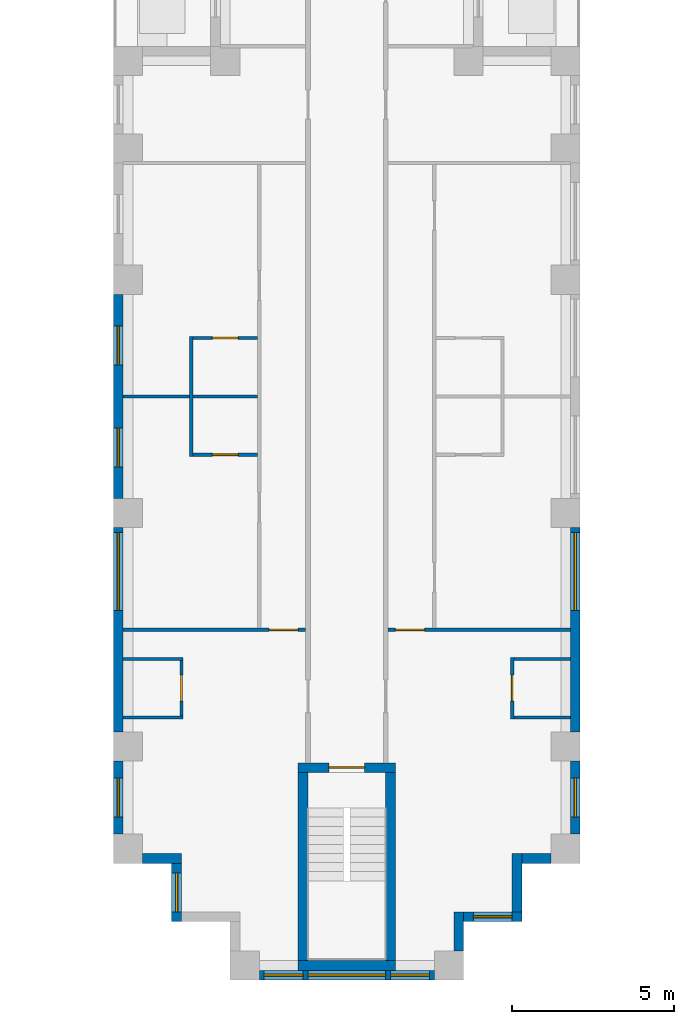
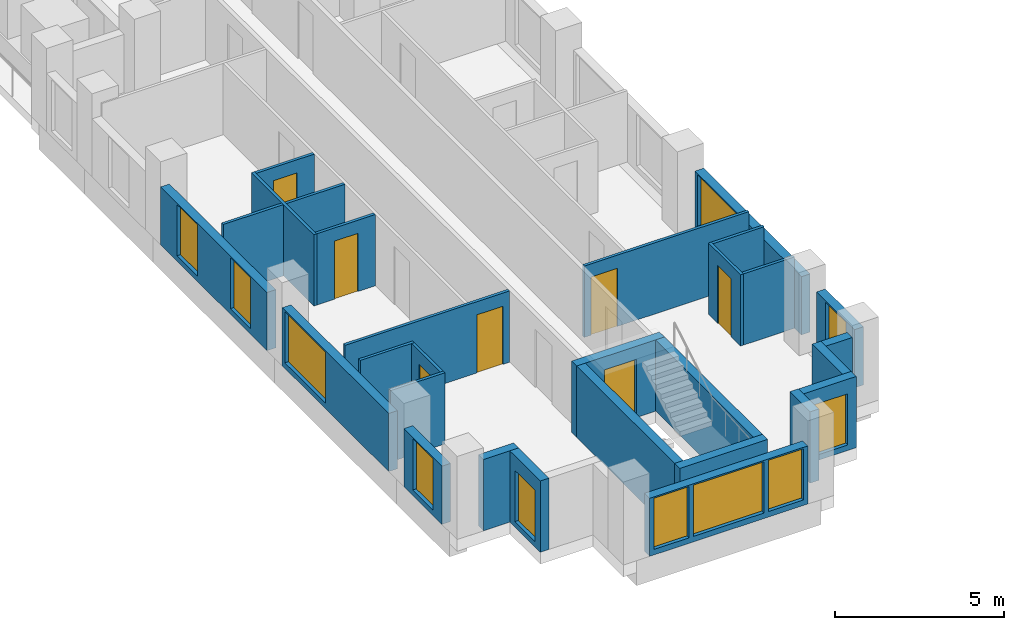
# One storey, part 3 of 15: 28 walls, 11 windows, 7 doors, 18 openings.
"""IFC4 building model written with IfcOpenShell, lengths in metres."""

from ifc_helpers import new_model, si_unit, direction, frame, frame_2d, origin, place, context, subcontext, project, spatial, rectangle, extrude, material, layer, layer_set, type_object, element, fill, save


model = new_model("IFC4")

# Units and contexts
model_context = context("Model", 3, precision=1e-05, world=origin(), true_north=direction((0.0, 1.0)))
body_context = subcontext(model_context, "Body", "Model", "MODEL_VIEW")
ifc_project = project(units=[si_unit("LENGTHUNIT", "METRE"), si_unit("AREAUNIT", "SQUARE_METRE"), si_unit("VOLUMEUNIT", "CUBIC_METRE"), si_unit("PLANEANGLEUNIT", "RADIAN"), si_unit("MASSUNIT", "GRAM", prefix="KILO")], contexts=[model_context])

# Site, building, storey
site_placement = place(None, origin())
site = spatial("IfcSite", under=ifc_project, at=site_placement, CompositionType="ELEMENT")
building_placement = place(site_placement, origin())
building = spatial("IfcBuilding", under=site, at=building_placement, Name="Fustian Cross Tower", CompositionType="ELEMENT")
storey_placement = place(building_placement, frame((0.0, 0.0, 50.699951171875)))
storey = spatial("IfcBuildingStorey", under=building, at=storey_placement, Name="L15", CompositionType="ELEMENT", Elevation=50.699951171875)

# Walls
ifc_material_1 = material(Name="Plasterboard on steel stud", Category="steel")
ifc_layer_1 = layer(ifc_material_1, 0.10009765625)
ifc_layer_set_1 = layer_set([ifc_layer_1], Name="Plasterboard on steel stud")
wall_type_1 = type_object("IfcWallType", Name="PARTITION 100 STUD", PredefinedType="PARTITIONING", material=ifc_layer_set_1)
for number, where, z_axis, x_axis, name in (
    (1, (-6.89990234375, -35.10009765625, 0.0), (0.0, 0.0, 1.0), (1.0, 0.0, 0.0), "Partition 18"),
    (2, (-6.89990234375, -33.300048828125, 0.0), (0.0, 0.0, 1.0), (1.0, 0.0, 0.0), "Partition 19"),
):
    element("IfcWall", number, at=place(storey_placement, frame(where, z_axis=z_axis, x_axis=x_axis)), inside=storey, type_object=wall_type_1, Name=name, PredefinedType="PARTITIONING", context=body_context, shape_type="SweptSolid", body=[
        extrude(rectangle(XDim=1.849853515625, YDim=0.10009765625, at=frame_2d((0.9248046875, 0.0))), origin(), (0.0, 0.0, 1.0), 2.574951171875),
    ])

# Wall, opening, door
wall_1_placement = place(storey_placement, frame((-6.89990234375, -32.39990234375, 0.0), z_axis=(0.0, 0.0, 1.0), x_axis=(1.0, 0.0, 0.0)))
wall_1 = element("IfcWall", 3, at=wall_1_placement, inside=storey, type_object=wall_type_1, Name="Partition 20", PredefinedType="PARTITIONING", context=body_context, shape_type="SweptSolid", body=[
    extrude(rectangle(XDim=5.625, YDim=0.10009765625, at=frame_2d((2.8125, 0.0))), origin(), (0.0, 0.0, 1.0), 2.574951171875),
])
opening_1_placement = place(wall_1_placement, frame((4.5, 0.0, 0.0)))
opening_1 = element("IfcOpeningElement", 4, at=opening_1_placement, cuts=wall_1, Name="Opening D08063", PredefinedType="OPENING", context=body_context, shape_type="SweptSolid", body=[
    extrude(rectangle(XDim=0.89990234375, YDim=2.10009765625, at=frame_2d((0.449951171875, 1.050048828125))), frame((0.0, 0.06005859375, 0.0), z_axis=(0.0, -1.0, 0.0), x_axis=(1.0, 0.0, 0.0)), (0.0, 0.0, 1.0), 0.1201171875),
])
ifc_material_2 = material(Name="Painted timber", Category="wood")
door_type_1 = type_object("IfcDoorType", Name="SWING DOOR 900", OperationType="SINGLE_SWING_LEFT", PredefinedType="DOOR", material=ifc_material_2)
door_1_placement = place(opening_1_placement, origin())
door_1 = element("IfcDoor", 5, at=door_1_placement, inside=storey, type_object=door_type_1, Name="Door D08063", OperationType="SINGLE_SWING_LEFT", OverallHeight=2.10009765625, OverallWidth=0.89990234375, PredefinedType="DOOR", context=body_context, shape_type="SweptSolid", body=[
    extrude(rectangle(XDim=0.89990234375, YDim=2.10009765625, at=frame_2d((0.449951171875, 1.050048828125))), frame((0.0, 0.02490234375, 0.0), z_axis=(0.0, -1.0, 0.0), x_axis=(1.0, 0.0, 0.0)), (0.0, 0.0, 1.0), 0.050048828125),
])
fill(opening_1, door_1)

# Wall
wall_2_placement = place(storey_placement, frame((-6.89990234375, -25.199951171875, 0.0), z_axis=(0.0, 0.0, 1.0), x_axis=(1.0, 0.0, 0.0)))
element("IfcWall", 6, at=wall_2_placement, inside=storey, type_object=wall_type_1, Name="Partition 21", PredefinedType="PARTITIONING", context=body_context, shape_type="SweptSolid", body=[
    extrude(rectangle(XDim=4.14990234375, YDim=0.10009765625, at=frame_2d((2.074951171875, 0.0))), origin(), (0.0, 0.0, 1.0), 2.574951171875),
])

# Wall, opening, door
wall_3_placement = place(storey_placement, frame((-5.10009765625, -35.050048828125, 0.0), z_axis=(0.0, 0.0, 1.0), x_axis=(0.0, 1.0, 0.0)))
wall_3 = element("IfcWall", 7, at=wall_3_placement, inside=storey, type_object=wall_type_1, Name="Partition 26", PredefinedType="PARTITIONING", context=body_context, shape_type="SweptSolid", body=[
    extrude(rectangle(XDim=1.699951171875, YDim=0.10009765625, at=frame_2d((0.85009765625, 0.0))), origin(), (0.0, 0.0, 1.0), 2.574951171875),
])
opening_2_placement = place(wall_3_placement, frame((0.449951171875, 0.0, 0.0)))
opening_2 = element("IfcOpeningElement", 8, at=opening_2_placement, cuts=wall_3, Name="Opening D08059", PredefinedType="OPENING", context=body_context, shape_type="SweptSolid", body=[
    extrude(rectangle(XDim=0.800048828125, YDim=2.10009765625, at=frame_2d((0.39990234375, 1.050048828125))), frame((0.0, 0.06005859375, 0.0), z_axis=(0.0, -1.0, 0.0), x_axis=(1.0, 0.0, 0.0)), (0.0, 0.0, 1.0), 0.1201171875),
])
ifc_material_3 = material(Name="Painted timber", Category="wood")
door_type_2 = type_object("IfcDoorType", Name="SWING DOOR 800", OperationType="SINGLE_SWING_LEFT", PredefinedType="DOOR", material=ifc_material_3)
door_2_placement = place(opening_2_placement, origin())
door_2 = element("IfcDoor", 9, at=door_2_placement, inside=storey, type_object=door_type_2, Name="Door D08059", OperationType="SINGLE_SWING_RIGHT", OverallHeight=2.10009765625, OverallWidth=0.800048828125, PredefinedType="DOOR", context=body_context, shape_type="SweptSolid", body=[
    extrude(rectangle(XDim=0.800048828125, YDim=2.10009765625, at=frame_2d((0.39990234375, 1.050048828125))), frame((0.0, 0.02490234375, 0.0), z_axis=(0.0, -1.0, 0.0), x_axis=(1.0, 0.0, 0.0)), (0.0, 0.0, 1.0), 0.050048828125),
])
fill(opening_2, door_2)

# Wall
wall_4_placement = place(storey_placement, frame((-4.800048828125, -27.050048828125, 0.0), z_axis=(0.0, 0.0, 1.0), x_axis=(0.0, 1.0, 0.0)))
element("IfcWall", 10, at=wall_4_placement, inside=storey, type_object=wall_type_1, Name="Partition 27", PredefinedType="PARTITIONING", context=body_context, shape_type="SweptSolid", body=[
    extrude(rectangle(XDim=3.699951171875, YDim=0.10009765625, at=frame_2d((1.85009765625, 0.0))), origin(), (0.0, 0.0, 1.0), 2.574951171875),
])

# Wall, opening, door
wall_5_placement = place(storey_placement, frame((-4.75, -27.0, 0.0), z_axis=(0.0, 0.0, 1.0), x_axis=(1.0, 0.0, 0.0)))
wall_5 = element("IfcWall", 11, at=wall_5_placement, inside=storey, type_object=wall_type_1, Name="Partition 28", PredefinedType="PARTITIONING", context=body_context, shape_type="SweptSolid", body=[
    extrude(rectangle(XDim=2.0, YDim=0.10009765625, at=frame_2d((1.0, 0.0))), origin(), (0.0, 0.0, 1.0), 2.574951171875),
])
opening_3_placement = place(wall_5_placement, frame((0.60009765625, 0.0, 0.0)))
opening_3 = element("IfcOpeningElement", 12, at=opening_3_placement, cuts=wall_5, Name="Opening D08065", PredefinedType="OPENING", context=body_context, shape_type="SweptSolid", body=[
    extrude(rectangle(XDim=0.800048828125, YDim=2.10009765625, at=frame_2d((0.39990234375, 1.050048828125))), frame((0.0, 0.06005859375, 0.0), z_axis=(0.0, -1.0, 0.0), x_axis=(1.0, 0.0, 0.0)), (0.0, 0.0, 1.0), 0.1201171875),
])
door_3_placement = place(opening_3_placement, origin())
door_3 = element("IfcDoor", 13, at=door_3_placement, inside=storey, type_object=door_type_2, Name="Door D08065", OperationType="SINGLE_SWING_LEFT", OverallHeight=2.10009765625, OverallWidth=0.800048828125, PredefinedType="DOOR", context=body_context, shape_type="SweptSolid", body=[
    extrude(rectangle(XDim=0.800048828125, YDim=2.10009765625, at=frame_2d((0.39990234375, 1.050048828125))), frame((0.0, 0.02490234375, 0.0), z_axis=(0.0, -1.0, 0.0), x_axis=(1.0, 0.0, 0.0)), (0.0, 0.0, 1.0), 0.050048828125),
])
fill(opening_3, door_3)

wall_6_placement = place(storey_placement, frame((-4.75, -23.39990234375, 0.0), z_axis=(0.0, 0.0, 1.0), x_axis=(1.0, 0.0, 0.0)))
wall_6 = element("IfcWall", 14, at=wall_6_placement, inside=storey, type_object=wall_type_1, Name="Partition 29", PredefinedType="PARTITIONING", context=body_context, shape_type="SweptSolid", body=[
    extrude(rectangle(XDim=2.0, YDim=0.10009765625, at=frame_2d((1.0, 0.0))), origin(), (0.0, 0.0, 1.0), 2.574951171875),
])
opening_4_placement = place(wall_6_placement, frame((0.60009765625, 0.0, 0.0)))
opening_4 = element("IfcOpeningElement", 15, at=opening_4_placement, cuts=wall_6, Name="Opening D08064", PredefinedType="OPENING", context=body_context, shape_type="SweptSolid", body=[
    extrude(rectangle(XDim=0.800048828125, YDim=2.10009765625, at=frame_2d((0.39990234375, 1.050048828125))), frame((0.0, 0.06005859375, 0.0), z_axis=(0.0, -1.0, 0.0), x_axis=(1.0, 0.0, 0.0)), (0.0, 0.0, 1.0), 0.1201171875),
])
door_4_placement = place(opening_4_placement, frame((0.800048828125, 0.0, 0.0), z_axis=(0.0, 0.0, 1.0), x_axis=(-1.0, 0.0, 0.0)))
door_4 = element("IfcDoor", 16, at=door_4_placement, inside=storey, type_object=door_type_2, Name="Door D08064", OperationType="SINGLE_SWING_RIGHT", OverallHeight=2.10009765625, OverallWidth=0.800048828125, PredefinedType="DOOR", context=body_context, shape_type="SweptSolid", body=[
    extrude(rectangle(XDim=0.800048828125, YDim=2.10009765625, at=frame_2d((0.39990234375, 1.050048828125))), frame((0.0, 0.02490234375, 0.0), z_axis=(0.0, -1.0, 0.0), x_axis=(1.0, 0.0, 0.0)), (0.0, 0.0, 1.0), 0.050048828125),
])
fill(opening_4, door_4)

wall_7_placement = place(storey_placement, frame((1.27490234375, -32.39990234375, 0.0), z_axis=(0.0, 0.0, 1.0), x_axis=(1.0, 0.0, 0.0)))
wall_7 = element("IfcWall", 17, at=wall_7_placement, inside=storey, type_object=wall_type_1, Name="Partition 45", PredefinedType="PARTITIONING", context=body_context, shape_type="SweptSolid", body=[
    extrude(rectangle(XDim=5.625, YDim=0.10009765625, at=frame_2d((2.8125, 0.0))), origin(), (0.0, 0.0, 1.0), 2.574951171875),
])
opening_5_placement = place(wall_7_placement, frame((0.22509765625, 0.0, 0.0)))
opening_5 = element("IfcOpeningElement", 18, at=opening_5_placement, cuts=wall_7, Name="Opening D08052", PredefinedType="OPENING", context=body_context, shape_type="SweptSolid", body=[
    extrude(rectangle(XDim=0.89990234375, YDim=2.10009765625, at=frame_2d((0.449951171875, 1.050048828125))), frame((0.0, 0.06005859375, 0.0), z_axis=(0.0, -1.0, 0.0), x_axis=(1.0, 0.0, 0.0)), (0.0, 0.0, 1.0), 0.1201171875),
])
door_5_placement = place(opening_5_placement, origin())
door_5 = element("IfcDoor", 19, at=door_5_placement, inside=storey, type_object=door_type_1, Name="Door D08052", OperationType="SINGLE_SWING_LEFT", OverallHeight=2.10009765625, OverallWidth=0.89990234375, PredefinedType="DOOR", context=body_context, shape_type="SweptSolid", body=[
    extrude(rectangle(XDim=0.89990234375, YDim=2.10009765625, at=frame_2d((0.449951171875, 1.050048828125))), frame((0.0, 0.02490234375, 0.0), z_axis=(0.0, -1.0, 0.0), x_axis=(1.0, 0.0, 0.0)), (0.0, 0.0, 1.0), 0.050048828125),
])
fill(opening_5, door_5)

wall_8_placement = place(storey_placement, frame((5.10009765625, -35.14990234375, 0.0), z_axis=(0.0, 0.0, 1.0), x_axis=(0.0, 1.0, 0.0)))
wall_8 = element("IfcWall", 20, at=wall_8_placement, inside=storey, type_object=wall_type_1, Name="Partition 70", PredefinedType="PARTITIONING", context=body_context, shape_type="SweptSolid", body=[
    extrude(rectangle(XDim=1.89990234375, YDim=0.10009765625, at=frame_2d((0.949951171875, 0.0))), origin(), (0.0, 0.0, 1.0), 2.574951171875),
])
opening_6_placement = place(wall_8_placement, frame((0.550048828125, 0.0, 0.0)))
opening_6 = element("IfcOpeningElement", 21, at=opening_6_placement, cuts=wall_8, Name="Opening D08050", PredefinedType="OPENING", context=body_context, shape_type="SweptSolid", body=[
    extrude(rectangle(XDim=0.800048828125, YDim=2.10009765625, at=frame_2d((0.39990234375, 1.050048828125))), frame((0.0, 0.06005859375, 0.0), z_axis=(0.0, -1.0, 0.0), x_axis=(1.0, 0.0, 0.0)), (0.0, 0.0, 1.0), 0.1201171875),
])
door_6_placement = place(opening_6_placement, frame((0.800048828125, 0.0, 0.0), z_axis=(0.0, 0.0, 1.0), x_axis=(-1.0, 0.0, 0.0)))
door_6 = element("IfcDoor", 22, at=door_6_placement, inside=storey, type_object=door_type_2, Name="Door D08050", OperationType="SINGLE_SWING_LEFT", OverallHeight=2.10009765625, OverallWidth=0.800048828125, PredefinedType="DOOR", context=body_context, shape_type="SweptSolid", body=[
    extrude(rectangle(XDim=0.800048828125, YDim=2.10009765625, at=frame_2d((0.39990234375, 1.050048828125))), frame((0.0, 0.02490234375, 0.0), z_axis=(0.0, -1.0, 0.0), x_axis=(1.0, 0.0, 0.0)), (0.0, 0.0, 1.0), 0.050048828125),
])
fill(opening_6, door_6)

# Walls
for number, where, z_axis, x_axis, name in (
    (23, (5.14990234375, -35.10009765625, 0.0), (0.0, 0.0, 1.0), (1.0, 0.0, 0.0), "Partition 71"),
    (24, (5.14990234375, -33.300048828125, 0.0), (0.0, 0.0, 1.0), (1.0, 0.0, 0.0), "Partition 72"),
):
    element("IfcWall", number, at=place(storey_placement, frame(where, z_axis=z_axis, x_axis=x_axis)), inside=storey, type_object=wall_type_1, Name=name, PredefinedType="PARTITIONING", context=body_context, shape_type="SweptSolid", body=[
        extrude(rectangle(XDim=1.75, YDim=0.10009765625, at=frame_2d((0.875, 0.0))), origin(), (0.0, 0.0, 1.0), 2.574951171875),
    ])

# Wall, opening, door
ifc_material_4 = material(Name="Concrete C50/60", Category="concrete")
ifc_layer_2 = layer(ifc_material_4, 0.300048828125)
ifc_layer_set_2 = layer_set([ifc_layer_2], Name="Concrete C50/60")
wall_type_2 = type_object("IfcWallType", Name="STAIR ENCLOSURE WALL 300 C50/60", PredefinedType="SHEAR", material=ifc_layer_set_2)
wall_9_placement = place(storey_placement, frame((-1.5, -36.64990234375, 0.0), z_axis=(0.0, 0.0, 1.0), x_axis=(1.0, 0.0, 0.0)))
wall_9 = element("IfcWall", 25, at=wall_9_placement, inside=storey, type_object=wall_type_2, Name="Stair enclosure wall", PredefinedType="SHEAR", context=body_context, shape_type="SweptSolid", body=[
    extrude(rectangle(XDim=3.0, YDim=0.300048828125, at=frame_2d((1.5, 0.0))), origin(), (0.0, 0.0, 1.0), 2.574951171875),
])
opening_7_placement = place(wall_9_placement, frame((0.949951171875, 0.0, 0.0)))
opening_7 = element("IfcOpeningElement", 26, at=opening_7_placement, cuts=wall_9, Name="Opening CD-05-32", PredefinedType="OPENING", context=body_context, shape_type="SweptSolid", body=[
    extrude(rectangle(XDim=1.10009765625, YDim=2.10009765625, at=frame_2d((0.550048828125, 1.050048828125))), frame((0.0, 0.159912109375, 0.0), z_axis=(0.0, -1.0, 0.0), x_axis=(1.0, 0.0, 0.0)), (0.0, 0.0, 1.0), 0.320068359375),
])
ifc_material_5 = material(Name="Steel", Category="steel")
door_type_3 = type_object("IfcDoorType", Name="FIRE DOOR FD60S 1100X2100", OperationType="SINGLE_SWING_LEFT", PredefinedType="DOOR", material=ifc_material_5)
door_7_placement = place(opening_7_placement, frame((1.10009765625, 0.0, 0.0), z_axis=(0.0, 0.0, 1.0), x_axis=(-1.0, 0.0, 0.0)))
door_7 = element("IfcDoor", 27, at=door_7_placement, inside=storey, type_object=door_type_3, Name="Core door CD-05-32", OperationType="SINGLE_SWING_RIGHT", OverallHeight=2.10009765625, OverallWidth=1.10009765625, PredefinedType="DOOR", context=body_context, shape_type="SweptSolid", body=[
    extrude(rectangle(XDim=1.10009765625, YDim=2.10009765625, at=frame_2d((0.550048828125, 1.050048828125))), frame((0.0, 0.02490234375, 0.0), z_axis=(0.0, -1.0, 0.0), x_axis=(1.0, 0.0, 0.0)), (0.0, 0.0, 1.0), 0.050048828125),
])
fill(opening_7, door_7)

# Walls
wall_10_placement = place(storey_placement, frame((-1.5, -42.75, 0.0), z_axis=(0.0, 0.0, 1.0), x_axis=(1.0, 0.0, 0.0)))
element("IfcWall", 28, at=wall_10_placement, inside=storey, type_object=wall_type_2, Name="Stair enclosure wall", PredefinedType="SHEAR", context=body_context, shape_type="SweptSolid", body=[
    extrude(rectangle(XDim=3.0, YDim=0.300048828125, at=frame_2d((1.5, 0.0))), origin(), (0.0, 0.0, 1.0), 2.574951171875),
])
for number, where, z_axis, x_axis, name in (
    (29, (-1.35009765625, -36.800048828125, 0.0), (0.0, 0.0, 1.0), (0.0, -1.0, 0.0), "Stair enclosure wall"),
    (30, (1.35009765625, -36.800048828125, 0.0), (0.0, 0.0, 1.0), (0.0, -1.0, 0.0), "Stair enclosure wall"),
):
    element("IfcWall", number, at=place(storey_placement, frame(where, z_axis=z_axis, x_axis=x_axis)), inside=storey, type_object=wall_type_2, Name=name, PredefinedType="SHEAR", context=body_context, shape_type="SweptSolid", body=[
        extrude(rectangle(XDim=5.800048828125, YDim=0.300048828125, at=frame_2d((2.89990234375, 0.0))), origin(), (0.0, 0.0, 1.0), 2.574951171875),
    ])

# Wall, openings, windows
ifc_material_6 = material(Name="Dark aluminium cladding on insulated backing wall", Category="aluminium")
ifc_layer_3 = layer(ifc_material_6, 0.300048828125)
ifc_layer_set_3 = layer_set([ifc_layer_3], Name="Dark aluminium cladding on insulated backing wall")
wall_type_3 = type_object("IfcWallType", Name="XW1 EXTERNAL WALL 300", PredefinedType="SOLIDWALL", material=ifc_layer_set_3)
wall_11_placement = place(storey_placement, frame((-7.050048828125, -22.050048828125, 0.0), z_axis=(0.0, 0.0, 1.0), x_axis=(0.0, -1.0, 0.0)))
wall_11 = element("IfcWall", 31, at=wall_11_placement, inside=storey, type_object=wall_type_3, Name="External wall", PredefinedType="SOLIDWALL", context=body_context, shape_type="SweptSolid", body=[
    extrude(rectangle(XDim=6.300048828125, YDim=0.300048828125, at=frame_2d((3.14990234375, 0.0))), origin(), (0.0, 0.0, 1.0), 2.10009765625),
])
opening_8_placement = place(wall_11_placement, frame((0.97509765625, 0.0, 0.199951171875)))
opening_8 = element("IfcOpeningElement", 32, at=opening_8_placement, cuts=wall_11, Name="Opening WN3", PredefinedType="OPENING", context=body_context, shape_type="SweptSolid", body=[
    extrude(rectangle(XDim=1.199951171875, YDim=1.85009765625, at=frame_2d((0.60009765625, 0.925048828125))), frame((0.0, 0.159912109375, 0.0), z_axis=(0.0, -1.0, 0.0), x_axis=(1.0, 0.0, 0.0)), (0.0, 0.0, 1.0), 0.320068359375),
])
opening_9_placement = place(wall_11_placement, frame((4.125, 0.0, 0.199951171875)))
opening_9 = element("IfcOpeningElement", 33, at=opening_9_placement, cuts=wall_11, Name="Opening WN3", PredefinedType="OPENING", context=body_context, shape_type="SweptSolid", body=[
    extrude(rectangle(XDim=1.199951171875, YDim=1.85009765625, at=frame_2d((0.60009765625, 0.925048828125))), frame((0.0, 0.159912109375, 0.0), z_axis=(0.0, -1.0, 0.0), x_axis=(1.0, 0.0, 0.0)), (0.0, 0.0, 1.0), 0.320068359375),
])
ifc_material_7 = material(Name="Dark anodised aluminium and double glazing", Category="aluminium")
window_type_1 = type_object("IfcWindowType", Name="WN3 WINDOW 1200X1850", PartitioningType="SINGLE_PANEL", PredefinedType="WINDOW", material=ifc_material_7)
window_1_placement = place(opening_8_placement, origin())
window_1 = element("IfcWindow", 34, at=window_1_placement, inside=storey, type_object=window_type_1, Name="Window", OverallHeight=1.85009765625, OverallWidth=1.199951171875, PartitioningType="SINGLE_PANEL", PredefinedType="WINDOW", context=body_context, shape_type="SweptSolid", body=[
    extrude(rectangle(XDim=1.199951171875, YDim=1.85009765625, at=frame_2d((0.60009765625, 0.925048828125))), frame((0.0, 0.030029296875, 0.0), z_axis=(0.0, -1.0, 0.0), x_axis=(1.0, 0.0, 0.0)), (0.0, 0.0, 1.0), 0.06005859375),
])
fill(opening_8, window_1)
window_2_placement = place(opening_9_placement, origin())
window_2 = element("IfcWindow", 35, at=window_2_placement, inside=storey, type_object=window_type_1, Name="Window", OverallHeight=1.85009765625, OverallWidth=1.199951171875, PartitioningType="SINGLE_PANEL", PredefinedType="WINDOW", context=body_context, shape_type="SweptSolid", body=[
    extrude(rectangle(XDim=1.199951171875, YDim=1.85009765625, at=frame_2d((0.60009765625, 0.925048828125))), frame((0.0, 0.030029296875, 0.0), z_axis=(0.0, -1.0, 0.0), x_axis=(1.0, 0.0, 0.0)), (0.0, 0.0, 1.0), 0.06005859375),
])
fill(opening_9, window_2)

# Wall, opening, window
wall_12_placement = place(storey_placement, frame((-7.050048828125, -29.25, 0.0), z_axis=(0.0, 0.0, 1.0), x_axis=(0.0, -1.0, 0.0)))
wall_12 = element("IfcWall", 36, at=wall_12_placement, inside=storey, type_object=wall_type_3, Name="External wall", PredefinedType="SOLIDWALL", context=body_context, shape_type="SweptSolid", body=[
    extrude(rectangle(XDim=6.300048828125, YDim=0.300048828125, at=frame_2d((3.14990234375, 0.0))), origin(), (0.0, 0.0, 1.0), 2.10009765625),
])
opening_10_placement = place(wall_12_placement, frame((0.14990234375, 0.0, 0.199951171875)))
opening_10 = element("IfcOpeningElement", 37, at=opening_10_placement, cuts=wall_12, Name="Opening WN1", PredefinedType="OPENING", context=body_context, shape_type="SweptSolid", body=[
    extrude(rectangle(XDim=2.39990234375, YDim=1.85009765625, at=frame_2d((1.199951171875, 0.925048828125))), frame((0.0, 0.159912109375, 0.0), z_axis=(0.0, -1.0, 0.0), x_axis=(1.0, 0.0, 0.0)), (0.0, 0.0, 1.0), 0.320068359375),
])
ifc_material_8 = material(Name="Dark anodised aluminium and double glazing", Category="aluminium")
window_type_2 = type_object("IfcWindowType", Name="WN1 WINDOW 2400X1850", PartitioningType="SINGLE_PANEL", PredefinedType="WINDOW", material=ifc_material_8)
window_3_placement = place(opening_10_placement, origin())
window_3 = element("IfcWindow", 38, at=window_3_placement, inside=storey, type_object=window_type_2, Name="Window", OverallHeight=1.85009765625, OverallWidth=2.39990234375, PartitioningType="SINGLE_PANEL", PredefinedType="WINDOW", context=body_context, shape_type="SweptSolid", body=[
    extrude(rectangle(XDim=2.39990234375, YDim=1.85009765625, at=frame_2d((1.199951171875, 0.925048828125))), frame((0.0, 0.030029296875, 0.0), z_axis=(0.0, -1.0, 0.0), x_axis=(1.0, 0.0, 0.0)), (0.0, 0.0, 1.0), 0.06005859375),
])
fill(opening_10, window_3)

wall_13_placement = place(storey_placement, frame((-7.050048828125, -36.449951171875, 0.0), z_axis=(0.0, 0.0, 1.0), x_axis=(0.0, -1.0, 0.0)))
wall_13 = element("IfcWall", 39, at=wall_13_placement, inside=storey, type_object=wall_type_3, Name="External wall", PredefinedType="SOLIDWALL", context=body_context, shape_type="SweptSolid", body=[
    extrude(rectangle(XDim=2.25, YDim=0.300048828125, at=frame_2d((1.125, 0.0))), origin(), (0.0, 0.0, 1.0), 2.10009765625),
])
opening_11_placement = place(wall_13_placement, frame((0.52490234375, 0.0, 0.199951171875)))
opening_11 = element("IfcOpeningElement", 40, at=opening_11_placement, cuts=wall_13, Name="Opening WN3", PredefinedType="OPENING", context=body_context, shape_type="SweptSolid", body=[
    extrude(rectangle(XDim=1.199951171875, YDim=1.85009765625, at=frame_2d((0.60009765625, 0.925048828125))), frame((0.0, 0.159912109375, 0.0), z_axis=(0.0, -1.0, 0.0), x_axis=(1.0, 0.0, 0.0)), (0.0, 0.0, 1.0), 0.320068359375),
])
window_4_placement = place(opening_11_placement, origin())
window_4 = element("IfcWindow", 41, at=window_4_placement, inside=storey, type_object=window_type_1, Name="Window", OverallHeight=1.85009765625, OverallWidth=1.199951171875, PartitioningType="SINGLE_PANEL", PredefinedType="WINDOW", context=body_context, shape_type="SweptSolid", body=[
    extrude(rectangle(XDim=1.199951171875, YDim=1.85009765625, at=frame_2d((0.60009765625, 0.925048828125))), frame((0.0, 0.030029296875, 0.0), z_axis=(0.0, -1.0, 0.0), x_axis=(1.0, 0.0, 0.0)), (0.0, 0.0, 1.0), 0.06005859375),
])
fill(opening_11, window_4)

# Wall
wall_14_placement = place(storey_placement, frame((-6.300048828125, -39.449951171875, 0.0), z_axis=(0.0, 0.0, 1.0), x_axis=(1.0, 0.0, 0.0)))
element("IfcWall", 42, at=wall_14_placement, inside=storey, type_object=wall_type_3, Name="External wall", PredefinedType="SOLIDWALL", context=body_context, shape_type="SweptSolid", body=[
    extrude(rectangle(XDim=1.199951171875, YDim=0.300048828125, at=frame_2d((0.60009765625, 0.0))), origin(), (0.0, 0.0, 1.0), 2.574951171875),
])

# Wall, opening, window
wall_15_placement = place(storey_placement, frame((-5.25, -39.60009765625, 0.0), z_axis=(0.0, 0.0, 1.0), x_axis=(0.0, -1.0, 0.0)))
wall_15 = element("IfcWall", 43, at=wall_15_placement, inside=storey, type_object=wall_type_3, Name="External wall", PredefinedType="SOLIDWALL", context=body_context, shape_type="SweptSolid", body=[
    extrude(rectangle(XDim=1.7998046875, YDim=0.300048828125, at=frame_2d((0.89990234375, 0.0))), origin(), (0.0, 0.0, 1.0), 2.574951171875),
])
opening_12_placement = place(wall_15_placement, frame((0.300048828125, 0.0, 0.199951171875)))
opening_12 = element("IfcOpeningElement", 44, at=opening_12_placement, cuts=wall_15, Name="Opening WN3", PredefinedType="OPENING", context=body_context, shape_type="SweptSolid", body=[
    extrude(rectangle(XDim=1.199951171875, YDim=1.85009765625, at=frame_2d((0.60009765625, 0.925048828125))), frame((0.0, 0.159912109375, 0.0), z_axis=(0.0, -1.0, 0.0), x_axis=(1.0, 0.0, 0.0)), (0.0, 0.0, 1.0), 0.320068359375),
])
window_5_placement = place(opening_12_placement, origin())
window_5 = element("IfcWindow", 45, at=window_5_placement, inside=storey, type_object=window_type_1, Name="Window", OverallHeight=1.85009765625, OverallWidth=1.199951171875, PartitioningType="SINGLE_PANEL", PredefinedType="WINDOW", context=body_context, shape_type="SweptSolid", body=[
    extrude(rectangle(XDim=1.199951171875, YDim=1.85009765625, at=frame_2d((0.60009765625, 0.925048828125))), frame((0.0, 0.030029296875, 0.0), z_axis=(0.0, -1.0, 0.0), x_axis=(1.0, 0.0, 0.0)), (0.0, 0.0, 1.0), 0.06005859375),
])
fill(opening_12, window_5)

# Wall, openings, windows
wall_16_placement = place(storey_placement, frame((-2.699951171875, -43.050048828125, 0.0), z_axis=(0.0, 0.0, 1.0), x_axis=(1.0, 0.0, 0.0)))
wall_16 = element("IfcWall", 46, at=wall_16_placement, inside=storey, type_object=wall_type_3, Name="External wall", PredefinedType="SOLIDWALL", context=body_context, shape_type="SweptSolid", body=[
    extrude(rectangle(XDim=5.39990234375, YDim=0.300048828125, at=frame_2d((2.699951171875, 0.0))), origin(), (0.0, 0.0, 1.0), 2.10009765625),
])
opening_13_placement = place(wall_16_placement, frame((1.5, 0.0, 0.199951171875)))
opening_13 = element("IfcOpeningElement", 47, at=opening_13_placement, cuts=wall_16, Name="Opening WN1", PredefinedType="OPENING", context=body_context, shape_type="SweptSolid", body=[
    extrude(rectangle(XDim=2.39990234375, YDim=1.85009765625, at=frame_2d((1.199951171875, 0.925048828125))), frame((0.0, 0.159912109375, 0.0), z_axis=(0.0, -1.0, 0.0), x_axis=(1.0, 0.0, 0.0)), (0.0, 0.0, 1.0), 0.320068359375),
])
opening_14_placement = place(wall_16_placement, frame((0.14990234375, 0.0, 0.199951171875)))
opening_14 = element("IfcOpeningElement", 48, at=opening_14_placement, cuts=wall_16, Name="Opening WN3", PredefinedType="OPENING", context=body_context, shape_type="SweptSolid", body=[
    extrude(rectangle(XDim=1.199951171875, YDim=1.85009765625, at=frame_2d((0.60009765625, 0.925048828125))), frame((0.0, 0.159912109375, 0.0), z_axis=(0.0, -1.0, 0.0), x_axis=(1.0, 0.0, 0.0)), (0.0, 0.0, 1.0), 0.320068359375),
])
opening_15_placement = place(wall_16_placement, frame((4.050048828125, 0.0, 0.199951171875)))
opening_15 = element("IfcOpeningElement", 49, at=opening_15_placement, cuts=wall_16, Name="Opening WN3", PredefinedType="OPENING", context=body_context, shape_type="SweptSolid", body=[
    extrude(rectangle(XDim=1.199951171875, YDim=1.85009765625, at=frame_2d((0.60009765625, 0.925048828125))), frame((0.0, 0.159912109375, 0.0), z_axis=(0.0, -1.0, 0.0), x_axis=(1.0, 0.0, 0.0)), (0.0, 0.0, 1.0), 0.320068359375),
])
window_6_placement = place(opening_13_placement, origin())
window_6 = element("IfcWindow", 50, at=window_6_placement, inside=storey, type_object=window_type_2, Name="Window", OverallHeight=1.85009765625, OverallWidth=2.39990234375, PartitioningType="SINGLE_PANEL", PredefinedType="WINDOW", context=body_context, shape_type="SweptSolid", body=[
    extrude(rectangle(XDim=2.39990234375, YDim=1.85009765625, at=frame_2d((1.199951171875, 0.925048828125))), frame((0.0, 0.030029296875, 0.0), z_axis=(0.0, -1.0, 0.0), x_axis=(1.0, 0.0, 0.0)), (0.0, 0.0, 1.0), 0.06005859375),
])
fill(opening_13, window_6)
window_7_placement = place(opening_14_placement, origin())
window_7 = element("IfcWindow", 51, at=window_7_placement, inside=storey, type_object=window_type_1, Name="Window", OverallHeight=1.85009765625, OverallWidth=1.199951171875, PartitioningType="SINGLE_PANEL", PredefinedType="WINDOW", context=body_context, shape_type="SweptSolid", body=[
    extrude(rectangle(XDim=1.199951171875, YDim=1.85009765625, at=frame_2d((0.60009765625, 0.925048828125))), frame((0.0, 0.030029296875, 0.0), z_axis=(0.0, -1.0, 0.0), x_axis=(1.0, 0.0, 0.0)), (0.0, 0.0, 1.0), 0.06005859375),
])
fill(opening_14, window_7)
window_8_placement = place(opening_15_placement, origin())
window_8 = element("IfcWindow", 52, at=window_8_placement, inside=storey, type_object=window_type_1, Name="Window", OverallHeight=1.85009765625, OverallWidth=1.199951171875, PartitioningType="SINGLE_PANEL", PredefinedType="WINDOW", context=body_context, shape_type="SweptSolid", body=[
    extrude(rectangle(XDim=1.199951171875, YDim=1.85009765625, at=frame_2d((0.60009765625, 0.925048828125))), frame((0.0, 0.030029296875, 0.0), z_axis=(0.0, -1.0, 0.0), x_axis=(1.0, 0.0, 0.0)), (0.0, 0.0, 1.0), 0.06005859375),
])
fill(opening_15, window_8)

# Wall
wall_17_placement = place(storey_placement, frame((3.449951171875, -42.300048828125, 0.0), z_axis=(0.0, 0.0, 1.0), x_axis=(0.0, 1.0, 0.0)))
element("IfcWall", 53, at=wall_17_placement, inside=storey, type_object=wall_type_3, Name="External wall", PredefinedType="SOLIDWALL", context=body_context, shape_type="SweptSolid", body=[
    extrude(rectangle(XDim=1.199951171875, YDim=0.300048828125, at=frame_2d((0.60009765625, 0.0))), origin(), (0.0, 0.0, 1.0), 2.574951171875),
])

# Wall, opening, window
wall_18_placement = place(storey_placement, frame((3.60009765625, -41.25, 0.0), z_axis=(0.0, 0.0, 1.0), x_axis=(1.0, 0.0, 0.0)))
wall_18 = element("IfcWall", 54, at=wall_18_placement, inside=storey, type_object=wall_type_3, Name="External wall", PredefinedType="SOLIDWALL", context=body_context, shape_type="SweptSolid", body=[
    extrude(rectangle(XDim=1.7998046875, YDim=0.300048828125, at=frame_2d((0.89990234375, 0.0))), origin(), (0.0, 0.0, 1.0), 2.574951171875),
])
opening_16_placement = place(wall_18_placement, frame((0.300048828125, 0.0, 0.199951171875)))
opening_16 = element("IfcOpeningElement", 55, at=opening_16_placement, cuts=wall_18, Name="Opening WN3", PredefinedType="OPENING", context=body_context, shape_type="SweptSolid", body=[
    extrude(rectangle(XDim=1.199951171875, YDim=1.85009765625, at=frame_2d((0.60009765625, 0.925048828125))), frame((0.0, 0.159912109375, 0.0), z_axis=(0.0, -1.0, 0.0), x_axis=(1.0, 0.0, 0.0)), (0.0, 0.0, 1.0), 0.320068359375),
])
window_9_placement = place(opening_16_placement, origin())
window_9 = element("IfcWindow", 56, at=window_9_placement, inside=storey, type_object=window_type_1, Name="Window", OverallHeight=1.85009765625, OverallWidth=1.199951171875, PartitioningType="SINGLE_PANEL", PredefinedType="WINDOW", context=body_context, shape_type="SweptSolid", body=[
    extrude(rectangle(XDim=1.199951171875, YDim=1.85009765625, at=frame_2d((0.60009765625, 0.925048828125))), frame((0.0, 0.030029296875, 0.0), z_axis=(0.0, -1.0, 0.0), x_axis=(1.0, 0.0, 0.0)), (0.0, 0.0, 1.0), 0.06005859375),
])
fill(opening_16, window_9)

# Walls
wall_19_placement = place(storey_placement, frame((5.25, -41.10009765625, 0.0), z_axis=(0.0, 0.0, 1.0), x_axis=(0.0, 1.0, 0.0)))
element("IfcWall", 57, at=wall_19_placement, inside=storey, type_object=wall_type_3, Name="External wall", PredefinedType="SOLIDWALL", context=body_context, shape_type="SweptSolid", body=[
    extrude(rectangle(XDim=1.800048828125, YDim=0.300048828125, at=frame_2d((0.89990234375, 0.0))), origin(), (0.0, 0.0, 1.0), 2.574951171875),
])
wall_20_placement = place(storey_placement, frame((5.39990234375, -39.449951171875, 0.0), z_axis=(0.0, 0.0, 1.0), x_axis=(1.0, 0.0, 0.0)))
element("IfcWall", 58, at=wall_20_placement, inside=storey, type_object=wall_type_3, Name="External wall", PredefinedType="SOLIDWALL", context=body_context, shape_type="SweptSolid", body=[
    extrude(rectangle(XDim=0.900146484375, YDim=0.300048828125, at=frame_2d((0.4501953125, 0.0))), origin(), (0.0, 0.0, 1.0), 2.574951171875),
])

# Wall, opening, window
wall_21_placement = place(storey_placement, frame((7.050048828125, -38.699951171875, 0.0), z_axis=(0.0, 0.0, 1.0), x_axis=(0.0, 1.0, 0.0)))
wall_21 = element("IfcWall", 59, at=wall_21_placement, inside=storey, type_object=wall_type_3, Name="External wall", PredefinedType="SOLIDWALL", context=body_context, shape_type="SweptSolid", body=[
    extrude(rectangle(XDim=2.25, YDim=0.300048828125, at=frame_2d((1.125, 0.0))), origin(), (0.0, 0.0, 1.0), 2.10009765625),
])
opening_17_placement = place(wall_21_placement, frame((0.52490234375, 0.0, 0.199951171875)))
opening_17 = element("IfcOpeningElement", 60, at=opening_17_placement, cuts=wall_21, Name="Opening WN3", PredefinedType="OPENING", context=body_context, shape_type="SweptSolid", body=[
    extrude(rectangle(XDim=1.199951171875, YDim=1.85009765625, at=frame_2d((0.60009765625, 0.925048828125))), frame((0.0, 0.159912109375, 0.0), z_axis=(0.0, -1.0, 0.0), x_axis=(1.0, 0.0, 0.0)), (0.0, 0.0, 1.0), 0.320068359375),
])
window_10_placement = place(opening_17_placement, origin())
window_10 = element("IfcWindow", 61, at=window_10_placement, inside=storey, type_object=window_type_1, Name="Window", OverallHeight=1.85009765625, OverallWidth=1.199951171875, PartitioningType="SINGLE_PANEL", PredefinedType="WINDOW", context=body_context, shape_type="SweptSolid", body=[
    extrude(rectangle(XDim=1.199951171875, YDim=1.85009765625, at=frame_2d((0.60009765625, 0.925048828125))), frame((0.0, 0.030029296875, 0.0), z_axis=(0.0, -1.0, 0.0), x_axis=(1.0, 0.0, 0.0)), (0.0, 0.0, 1.0), 0.06005859375),
])
fill(opening_17, window_10)

wall_22_placement = place(storey_placement, frame((7.050048828125, -35.550048828125, 0.0), z_axis=(0.0, 0.0, 1.0), x_axis=(0.0, 1.0, 0.0)))
wall_22 = element("IfcWall", 62, at=wall_22_placement, inside=storey, type_object=wall_type_3, Name="External wall", PredefinedType="SOLIDWALL", context=body_context, shape_type="SweptSolid", body=[
    extrude(rectangle(XDim=6.300048828125, YDim=0.300048828125, at=frame_2d((3.14990234375, 0.0))), origin(), (0.0, 0.0, 1.0), 2.10009765625),
])
opening_18_placement = place(wall_22_placement, frame((3.75, 0.0, 0.199951171875)))
opening_18 = element("IfcOpeningElement", 63, at=opening_18_placement, cuts=wall_22, Name="Opening WN1", PredefinedType="OPENING", context=body_context, shape_type="SweptSolid", body=[
    extrude(rectangle(XDim=2.39990234375, YDim=1.85009765625, at=frame_2d((1.199951171875, 0.925048828125))), frame((0.0, 0.159912109375, 0.0), z_axis=(0.0, -1.0, 0.0), x_axis=(1.0, 0.0, 0.0)), (0.0, 0.0, 1.0), 0.320068359375),
])
window_11_placement = place(opening_18_placement, origin())
window_11 = element("IfcWindow", 64, at=window_11_placement, inside=storey, type_object=window_type_2, Name="Window", OverallHeight=1.85009765625, OverallWidth=2.39990234375, PartitioningType="SINGLE_PANEL", PredefinedType="WINDOW", context=body_context, shape_type="SweptSolid", body=[
    extrude(rectangle(XDim=2.39990234375, YDim=1.85009765625, at=frame_2d((1.199951171875, 0.925048828125))), frame((0.0, 0.030029296875, 0.0), z_axis=(0.0, -1.0, 0.0), x_axis=(1.0, 0.0, 0.0)), (0.0, 0.0, 1.0), 0.06005859375),
])
fill(opening_18, window_11)

save(model, "model.ifc")
